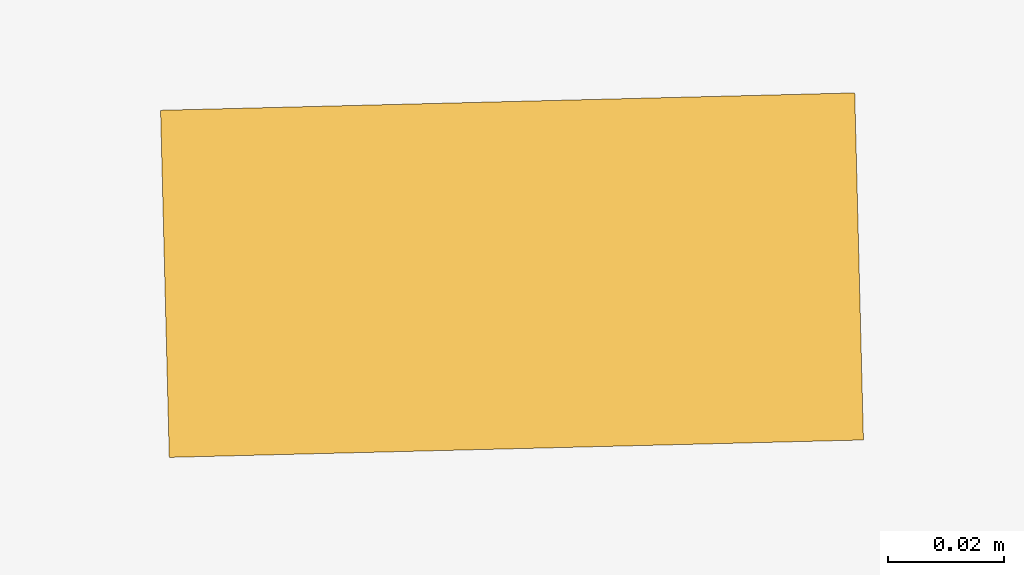
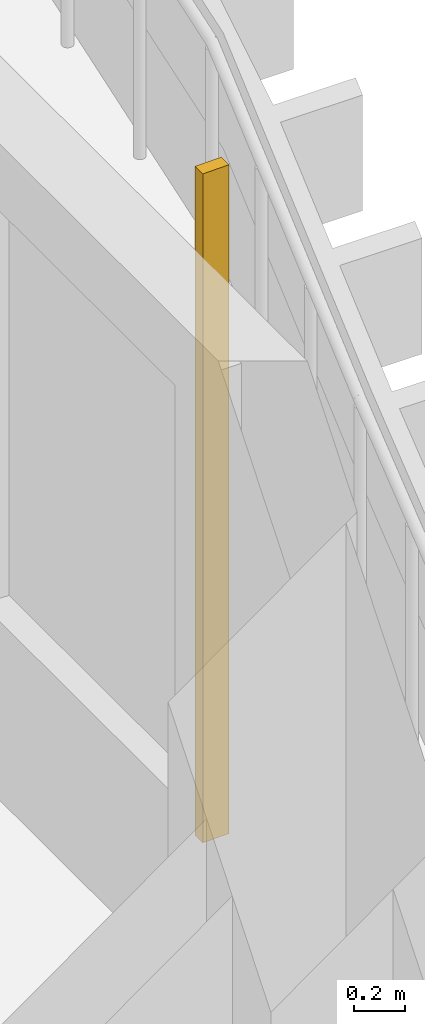
# One storey, part 20 of 22: 1 shading device.
"""IFC4 building model written with IfcOpenShell, lengths in metres."""

import ifcopenshell
import ifcopenshell.guid

model = None  # the IFC model being written
_history = None  # IfcOwnerHistory: only IFC2X3 demands one
_inside = {}  # id of a spatial element -> (the spatial element, [elements in it])
_under = {}  # id of a project, library or spatial element -> (it, [spatial elements below it])
_declared = {}  # id of a project -> (the project, [libraries it declares])
_typed = {}  # id of a type object -> (the type object, [elements of that type])
_made_of = {}  # id of a material, layer set ... -> (it, [elements and type objects made of it])


def new_model(schema):
    """Start an empty IFC model of exactly this schema.

    Asked for "IFC4X3", IfcOpenShell would pick the latest addendum, in which some entities
    have other attributes; the version numbers below select the first issue.
    IFC2X3 requires an IfcOwnerHistory on every rooted entity: one is made here for all.
    """
    global model, _history
    if schema == "IFC4X3":
        model = ifcopenshell.file(schema_version=(4, 3, 0, 0))
    else:
        model = ifcopenshell.file(schema=schema)
    _inside.clear()
    _under.clear()
    _declared.clear()
    _typed.clear()
    _made_of.clear()
    _history = None
    if model.schema == "IFC2X3":
        org = make("IfcOrganization", Name="unknown")
        user = make(
            "IfcPersonAndOrganization",
            ThePerson=make("IfcPerson", FamilyName="unknown"),
            TheOrganization=org,
        )
        app = make(
            "IfcApplication",
            ApplicationDeveloper=org,
            Version="unknown",
            ApplicationFullName="unknown",
            ApplicationIdentifier="unknown",
        )
        _history = make(
            "IfcOwnerHistory",
            OwningUser=user,
            OwningApplication=app,
            ChangeAction="ADDED",
            CreationDate=0,
        )
    return model


def make(cls, **values):
    """One entity of the class cls with the attributes given. An attribute that is None is left unset."""
    return model.create_entity(
        cls, **{name: value for name, value in values.items() if value is not None}
    )


def rooted(cls, **values):
    """An entity with a GlobalId (a new one), such as an element, a storey or a relation."""
    return make(cls, GlobalId=ifcopenshell.guid.new(), OwnerHistory=_history, **values)


def si_unit(unit_type, name, prefix=None):
    """IfcSIUnit, for example si_unit("LENGTHUNIT", "METRE", prefix="MILLI")."""
    return make("IfcSIUnit", UnitType=unit_type, Prefix=prefix, Name=name)


def assignment(units):
    """IfcUnitAssignment: the units of a project."""
    return None if units is None else make("IfcUnitAssignment", Units=units)


def point(xyz):
    """IfcCartesianPoint."""
    return None if xyz is None else make("IfcCartesianPoint", Coordinates=xyz)


def direction(xyz):
    """IfcDirection."""
    return None if xyz is None else make("IfcDirection", DirectionRatios=xyz)


def frame(location, z_axis=None, x_axis=None):
    """IfcAxis2Placement3D, a coordinate frame: its origin and axes. An axis left out is left unset."""
    return make(
        "IfcAxis2Placement3D",
        Location=point(location),
        Axis=direction(z_axis),
        RefDirection=direction(x_axis),
    )


def frame_2d(location, x_axis=None):
    """IfcAxis2Placement2D, a coordinate frame in the plane: its origin and x axis."""
    return make(
        "IfcAxis2Placement2D", Location=point(location), RefDirection=direction(x_axis)
    )


def origin():
    """The frame at (0, 0, 0) with its axes left unset."""
    return frame((0.0, 0.0, 0.0))


def origin_2d():
    """The frame at (0, 0) in the plane with its x axis left unset."""
    return frame_2d((0.0, 0.0))


def place(relative_to, where):
    """IfcLocalPlacement: puts the frame where relative to a parent placement (None: the world)."""
    return make(
        "IfcLocalPlacement", PlacementRelTo=relative_to, RelativePlacement=where
    )


def context(
    kind, dimensions, precision=None, world=None, true_north=None, identifier=None
):
    """IfcGeometricRepresentationContext, for example the 3D "Model" context."""
    return make(
        "IfcGeometricRepresentationContext",
        ContextIdentifier=identifier,
        ContextType=kind,
        CoordinateSpaceDimension=dimensions,
        Precision=precision,
        WorldCoordinateSystem=world,
        TrueNorth=true_north,
    )


def subcontext(parent, identifier, kind, view, scale=None):
    """IfcGeometricRepresentationSubContext, for example "Body" below "Model"."""
    return make(
        "IfcGeometricRepresentationSubContext",
        ContextIdentifier=identifier,
        ContextType=kind,
        ParentContext=parent,
        TargetScale=scale,
        TargetView=view,
    )


def project(units=None, contexts=None):
    """IfcProject with its units and contexts."""
    return rooted(
        "IfcProject",
        Name="project",
        RepresentationContexts=contexts,
        UnitsInContext=assignment(units),
    )


def spatial(cls, under=None, at=None, **own):
    """A site, building, storey or space (cls), placed at a placement, below another one or the project."""
    s = rooted(cls, ObjectPlacement=at, **own)
    if under is not None:
        _under.setdefault(under.id(), (under, []))[1].append(s)
    return s


def profile(cls, at=None, kind="AREA", **sizes):
    """A parametric profile (cls). Its sizes go by their IFC names, for example OverallWidth=200.0."""
    return make(cls, ProfileType=kind, Position=at, **sizes)


def rectangle(**sizes):
    """IfcRectangleProfileDef."""
    return profile("IfcRectangleProfileDef", **sizes)


def extrude(swept, where, along, depth):
    """IfcExtrudedAreaSolid: the profile swept, set in the frame where, extruded along a direction by depth."""
    return make(
        "IfcExtrudedAreaSolid",
        SweptArea=swept,
        Position=where,
        ExtrudedDirection=direction(along),
        Depth=depth,
    )


def shape(context_of_items, identifier, shape_type, items):
    """IfcShapeRepresentation: the items that make up one representation, for example the "Body"."""
    return make(
        "IfcShapeRepresentation",
        ContextOfItems=context_of_items,
        RepresentationIdentifier=identifier,
        RepresentationType=shape_type,
        Items=items,
    )


def source(mapping_origin, context_of_items, identifier, shape_type, items):
    """IfcRepresentationMap: a shape defined once, which mapped items show again and again."""
    return make(
        "IfcRepresentationMap",
        MappingOrigin=mapping_origin,
        MappedRepresentation=shape(context_of_items, identifier, shape_type, items),
    )


def transform(
    local_origin,
    x_axis=None,
    y_axis=None,
    z_axis=None,
    scale=None,
    scale2=None,
    scale3=None,
    uniform=True,
):
    """IfcCartesianTransformationOperator3D, or its non-uniform kind. x_axis, y_axis, z_axis: its Axis1, 2, 3."""
    if uniform:
        return make(
            "IfcCartesianTransformationOperator3D",
            Axis1=direction(x_axis),
            Axis2=direction(y_axis),
            LocalOrigin=point(local_origin),
            Scale=scale,
            Axis3=direction(z_axis),
        )
    return make(
        "IfcCartesianTransformationOperator3DnonUniform",
        Axis1=direction(x_axis),
        Axis2=direction(y_axis),
        LocalOrigin=point(local_origin),
        Scale=scale,
        Axis3=direction(z_axis),
        Scale2=scale2,
        Scale3=scale3,
    )


def mapped(mapping_source, mapping_target):
    """IfcMappedItem: shows the shape of a source again, moved by a transform."""
    return make(
        "IfcMappedItem", MappingSource=mapping_source, MappingTarget=mapping_target
    )


def material(Name=None, Category=None):
    """IfcMaterial."""
    return make("IfcMaterial", Name=Name, Category=Category)


def material_profile(
    of_material, cross_section, Name=None, Category=None, Priority=None
):
    """IfcMaterialProfile: a cross section and its material."""
    return make(
        "IfcMaterialProfile",
        Name=Name,
        Material=of_material,
        Profile=cross_section,
        Priority=Priority,
        Category=Category,
    )


def profile_set(profiles, Name=None, composite=None):
    """IfcMaterialProfileSet."""
    return make(
        "IfcMaterialProfileSet",
        Name=Name,
        MaterialProfiles=profiles,
        CompositeProfile=composite,
    )


def made_of(thing, what):
    """Note that an element or type object is made of a material, layer set ...; save() writes the relation."""
    if what is not None:
        _made_of.setdefault(what.id(), (what, []))[1].append(thing)
    return thing


def type_object(cls, material=None, **own):
    """A type object (cls), such as IfcWallType, which elements share."""
    return made_of(rooted(cls, **own), material)


def element(
    cls,
    number,
    at=None,
    inside=None,
    cuts=None,
    type_object=None,
    material=None,
    context=None,
    identifier="Body",
    shape_type=None,
    held_by="IfcProductDefinitionShape",
    body=None,
    shapes=None,
    **own,
):
    """One element of the class cls, such as IfcWall. Its Tag is "e" and its number.

    at: its placement. inside: the storey or other place that contains it. cuts: it is an
    opening in that element (IfcRelVoidsElement). A single representation is given by context,
    identifier, shape_type and body (its items); several are given by shapes. held_by: the class
    of the entity that holds the representations. save() writes the other relations.
    """
    e = rooted(cls, Tag="e%d" % number, ObjectPlacement=at, **own)
    if body is not None:
        shapes = [shape(context, identifier, shape_type, body)]
    if shapes is not None:
        e.Representation = make(held_by, Representations=shapes)
    if inside is not None:
        _inside.setdefault(inside.id(), (inside, []))[1].append(e)
    if cuts is not None:
        rooted(
            "IfcRelVoidsElement", RelatingBuildingElement=cuts, RelatedOpeningElement=e
        )
    if type_object is not None:
        _typed.setdefault(type_object.id(), (type_object, []))[1].append(e)
    return made_of(e, material)


def aggregate(whole, parts):
    """IfcRelAggregates: a whole, such as a stair, and the parts it consists of."""
    return rooted("IfcRelAggregates", RelatingObject=whole, RelatedObjects=parts)


def save(model, path):
    """Write the relations noted so far, then the file.

    IfcRelAggregates (storeys below a building ...), IfcRelContainedInSpatialStructure (elements
    in a storey), IfcRelDefinesByType, IfcRelAssociatesMaterial and IfcRelDeclares: one each for
    every whole, place, type object, material and project.
    """
    for whole, parts in _under.values():
        aggregate(whole, parts)
    for where, things in _inside.values():
        rooted(
            "IfcRelContainedInSpatialStructure",
            RelatedElements=things,
            RelatingStructure=where,
        )
    for kind, things in _typed.values():
        rooted("IfcRelDefinesByType", RelatedObjects=things, RelatingType=kind)
    for what, things in _made_of.values():
        rooted("IfcRelAssociatesMaterial", RelatedObjects=things, RelatingMaterial=what)
    for by, libraries in _declared.values():
        rooted("IfcRelDeclares", RelatingContext=by, RelatedDefinitions=libraries)
    model.write(path)


model = new_model("IFC4")

# Units and contexts
model_context = context("Model", 3, precision=1e-05, world=origin(), true_north=direction((0.0, 1.0)))
body_context = subcontext(model_context, "Body", "Model", "MODEL_VIEW")
ifc_project = project(units=[si_unit("LENGTHUNIT", "METRE"), si_unit("AREAUNIT", "SQUARE_METRE"), si_unit("VOLUMEUNIT", "CUBIC_METRE"), si_unit("PLANEANGLEUNIT", "RADIAN"), si_unit("MASSUNIT", "GRAM", prefix="KILO")], contexts=[model_context])

# Site, building, storey
site_placement = place(None, origin())
site = spatial("IfcSite", under=ifc_project, at=site_placement, CompositionType="ELEMENT")
building_placement = place(site_placement, origin())
building = spatial("IfcBuilding", under=site, at=building_placement, Name="Kilnfold Tower and Market Hall", CompositionType="ELEMENT")
storey_placement = place(building_placement, frame((0.0, 0.0, 143.89990234375)))
storey = spatial("IfcBuildingStorey", under=building, at=storey_placement, Name="L32", CompositionType="ELEMENT", Elevation=143.89990234375)

# Shading device
ifc_material = material(Name="Terracotta", Category="masonry")
ifc_material_profile = material_profile(ifc_material, rectangle(XDim=0.06005859375, YDim=0.1201171875, at=origin_2d()), Name="BAG 60x120")
ifc_profile_set = profile_set([ifc_material_profile], Name="Terracotta")
shading_device_type = type_object("IfcShadingDeviceType", Name="BAGUETTE", PredefinedType="USERDEFINED", material=ifc_profile_set)
shared_shape = source(origin(), body_context, "Body", "SweptSolid", [
    extrude(rectangle(XDim=0.06005859375, YDim=0.1201171875, at=origin_2d()), origin(), (0.0, 0.0, 1.0), 3.18017578125),
])
shading_device_placement = place(storey_placement, frame((25.550048828125, 10.050048828125, 0.0), z_axis=(0.0, 0.0, 1.0), x_axis=(-0.025067283384, 0.99968576628, 0.0)))
element("IfcShadingDevice", 1, at=shading_device_placement, inside=storey, type_object=shading_device_type, Name="Terracotta baguette L32 E", ObjectType="BAGUETTE", PredefinedType="USERDEFINED", context=body_context, shape_type="MappedRepresentation", body=[
    mapped(shared_shape, transform((0.0, 0.0, 0.0))),
])

save(model, "model.ifc")
